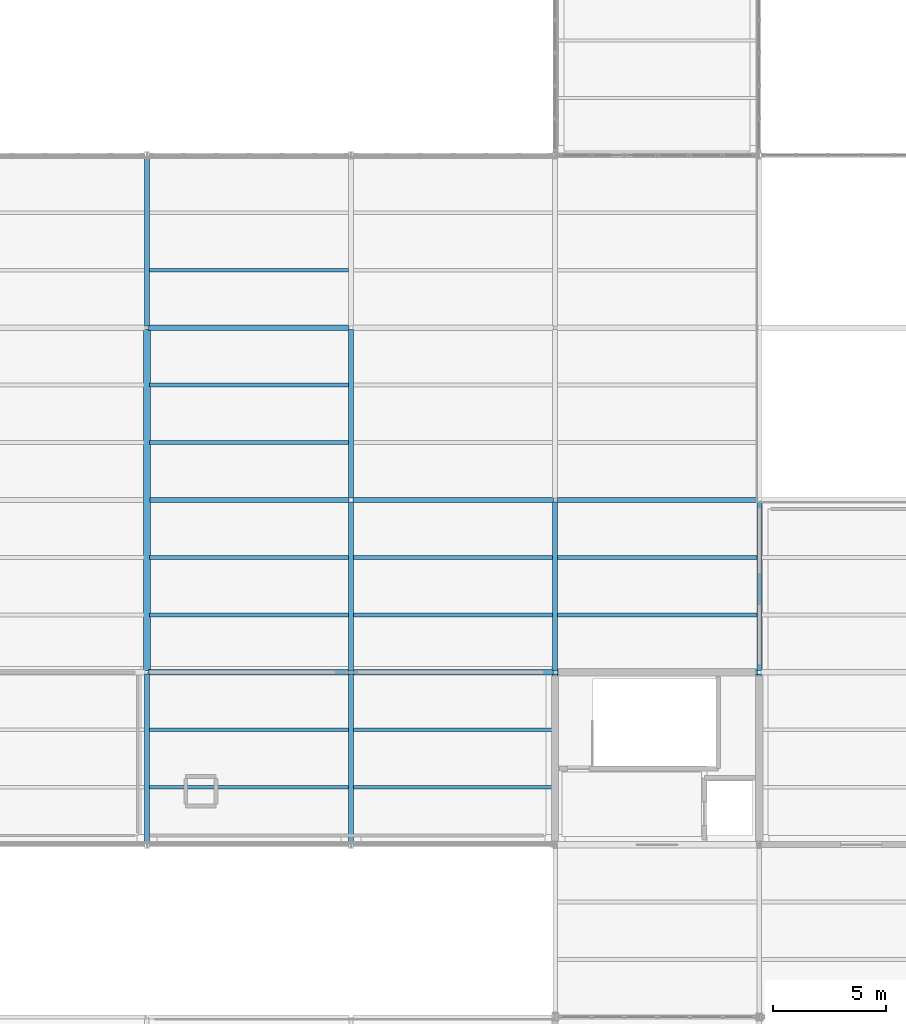
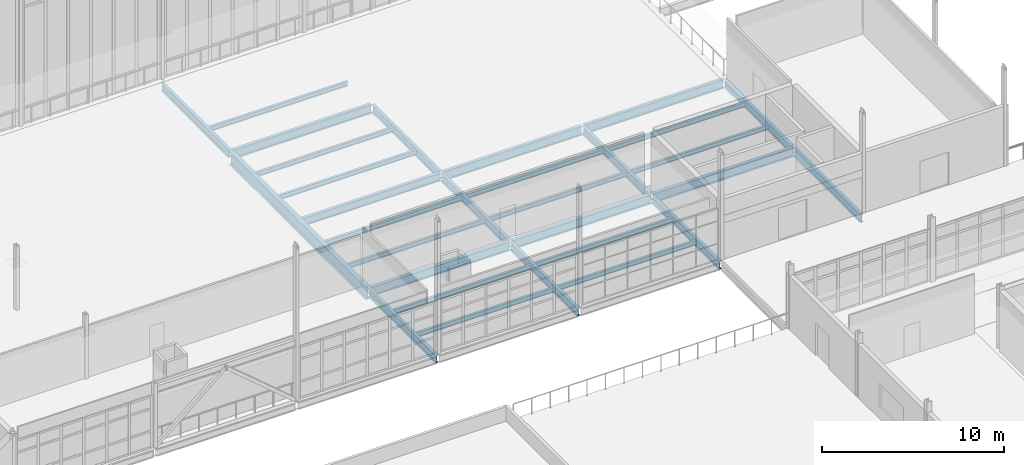
# One storey, part 50 of 166: 30 beams.
"""IFC4 building model written with IfcOpenShell, lengths in metres."""

from ifc_helpers import new_model, si_unit, direction, frame, origin, origin_2d, place, context, subcontext, project, spatial, i_section, extrude, material, material_profile, profile_set, type_object, element, save


model = new_model("IFC4")

# Units and contexts
model_context = context("Model", 3, precision=1e-05, world=origin(), true_north=direction((0.0, 1.0)))
body_context = subcontext(model_context, "Body", "Model", "MODEL_VIEW")
ifc_project = project(units=[si_unit("LENGTHUNIT", "METRE"), si_unit("AREAUNIT", "SQUARE_METRE"), si_unit("VOLUMEUNIT", "CUBIC_METRE"), si_unit("PLANEANGLEUNIT", "RADIAN"), si_unit("MASSUNIT", "GRAM", prefix="KILO")], contexts=[model_context])

# Site, building, storey
site_placement = place(None, origin())
site = spatial("IfcSite", under=ifc_project, at=site_placement, CompositionType="ELEMENT")
building_placement = place(site_placement, origin())
building = spatial("IfcBuilding", under=site, at=building_placement, Name="Caisbarro Railhouse Central Library", CompositionType="ELEMENT")
storey_placement = place(building_placement, frame((0.0, 0.0, 9.360107421875)))
storey = spatial("IfcBuildingStorey", under=building, at=storey_placement, Name="L02", CompositionType="ELEMENT", Elevation=9.360107421875)

# Beams
ifc_material = material(Name="Steel ASTM A572 Grade 50", Category="steel")
ifc_material_profile_1 = material_profile(ifc_material, i_section(OverallWidth=0.2939453125, OverallDepth=0.85107421875, WebThickness=0.01611328125, FlangeThickness=0.02685546875, FilletRadius=0.02392578125, at=origin_2d()), Name="W840X226.0")
ifc_profile_set_1 = profile_set([ifc_material_profile_1], Name="Steel ASTM A572 Grade 50")
beam_type_1 = type_object("IfcBeamType", Name="BM-G01", PredefinedType="BEAM", material=ifc_profile_set_1)
beam_1_placement = place(storey_placement, frame((36.0, 38.080078125, -0.6455078125), z_axis=(0.0, 1.0, 0.0), x_axis=(-1.0, 0.0, 0.0)))
element("IfcBeam", 1, at=beam_1_placement, inside=storey, type_object=beam_type_1, Name="G01 beam L02 #1738", PredefinedType="BEAM", context=body_context, shape_type="SweptSolid", body=[
    extrude(i_section(OverallWidth=0.2939453125, OverallDepth=0.85107421875, WebThickness=0.01611328125, FlangeThickness=0.02685546875, FilletRadius=0.02392578125, at=origin_2d()), origin(), (0.0, 0.0, 1.0), 15.0400390625),
])
ifc_material_profile_2 = material_profile(ifc_material, i_section(OverallWidth=0.22802734375, OverallDepth=0.60791015625, WebThickness=0.01123046875, FlangeThickness=0.017333984375, FilletRadius=0.02197265625, at=origin_2d()), Name="W610X113.0")
ifc_profile_set_2 = profile_set([ifc_material_profile_2], Name="Steel ASTM A572 Grade 50")
beam_type_2 = type_object("IfcBeamType", Name="BM-G04", PredefinedType="BEAM", material=ifc_profile_set_2)
for number, where, z_axis, x_axis, name in (
    (2, (36.080078125, 38.0, -0.524169921875), (1.0, 0.0, 0.0), (0.0, 1.0, 0.0), "G04 beam L02 #1363"),
    (3, (45.080078125, 38.0, -0.524169921875), (1.0, 0.0, 0.0), (0.0, 1.0, 0.0), "G04 beam L02 #1364"),
    (4, (54.080078125, 38.0, -0.524169921875), (1.0, 0.0, 0.0), (0.0, 1.0, 0.0), "G04 beam L02 #1365"),
    (5, (45.080078125, 45.60009765625, -0.524169921875), (1.0, 0.0, 0.0), (0.0, 1.0, 0.0), "G04 beam L02 #1369"),
    (6, (54.080078125, 45.60009765625, -0.524169921875), (1.0, 0.0, 0.0), (0.0, 1.0, 0.0), "G04 beam L02 #1370"),
    (7, (36.080078125, 53.199951171875, -0.524169921875), (1.0, 0.0, 0.0), (0.0, 1.0, 0.0), "G04 beam L02 #1376"),
):
    element("IfcBeam", number, at=place(storey_placement, frame(where, z_axis=z_axis, x_axis=x_axis)), inside=storey, type_object=beam_type_2, Name=name, PredefinedType="BEAM", context=body_context, shape_type="SweptSolid", body=[
        extrude(i_section(OverallWidth=0.22802734375, OverallDepth=0.60791015625, WebThickness=0.01123046875, FlangeThickness=0.017333984375, FilletRadius=0.02197265625, at=origin_2d()), origin(), (0.0, 0.0, 1.0), 8.83984375),
    ])
ifc_material_profile_3 = material_profile(ifc_material, i_section(OverallWidth=0.208984375, OverallDepth=0.532958984375, WebThickness=0.01025390625, FlangeThickness=0.015625, FilletRadius=0.02001953125, at=origin_2d()), Name="W530X92.0")
ifc_profile_set_3 = profile_set([ifc_material_profile_3], Name="Steel ASTM A572 Grade 50")
beam_type_3 = type_object("IfcBeamType", Name="BM-G06", PredefinedType="BEAM", material=ifc_profile_set_3)
for number, where, z_axis, x_axis, name in (
    (8, (36.0, 30.47998046875, -0.486572265625), (0.0, 1.0, 0.0), (-1.0, 0.0, 0.0), "G06 beam L02 #1402"),
    (9, (36.0, 53.280029296875, -0.486572265625), (0.0, 1.0, 0.0), (-1.0, 0.0, 0.0), "G06 beam L02 #1403"),
    (10, (45.0, 30.47998046875, -0.486572265625), (0.0, 1.0, 0.0), (-1.0, 0.0, 0.0), "G06 beam L02 #1404"),
    (11, (45.0, 38.080078125, -0.486572265625), (0.0, 1.0, 0.0), (-1.0, 0.0, 0.0), "G06 beam L02 #1405"),
):
    element("IfcBeam", number, at=place(storey_placement, frame(where, z_axis=z_axis, x_axis=x_axis)), inside=storey, type_object=beam_type_3, Name=name, PredefinedType="BEAM", context=body_context, shape_type="SweptSolid", body=[
        extrude(i_section(OverallWidth=0.208984375, OverallDepth=0.532958984375, WebThickness=0.01025390625, FlangeThickness=0.015625, FilletRadius=0.02001953125, at=origin_2d()), origin(), (0.0, 0.0, 1.0), 7.43994140625),
    ])
beam_2_placement = place(storey_placement, frame((45.0, 45.679931640625, -0.486572265625), z_axis=(0.0, 1.0, 0.0), x_axis=(-1.0, 0.0, 0.0)))
element("IfcBeam", 12, at=beam_2_placement, inside=storey, type_object=beam_type_3, Name="G06 beam L02 #1406", PredefinedType="BEAM", context=body_context, shape_type="SweptSolid", body=[
    extrude(i_section(OverallWidth=0.208984375, OverallDepth=0.532958984375, WebThickness=0.01025390625, FlangeThickness=0.015625, FilletRadius=0.02001953125, at=origin_2d()), origin(), (0.0, 0.0, 1.0), 7.440185546875),
])
for number, where, z_axis, x_axis, name in (
    (13, (54.0, 30.47998046875, -0.486572265625), (0.0, 1.0, 0.0), (-1.0, 0.0, 0.0), "G06 beam L02 #1408"),
    (14, (54.0, 38.080078125, -0.486572265625), (0.0, 1.0, 0.0), (-1.0, 0.0, 0.0), "G06 beam L02 #1409"),
    (15, (63.0, 30.47998046875, -0.486572265625), (0.0, 1.0, 0.0), (-1.0, 0.0, 0.0), "G06 beam L02 #1412"),
    (16, (63.0, 38.080078125, -0.486572265625), (0.0, 1.0, 0.0), (-1.0, 0.0, 0.0), "G06 beam L02 #1413"),
):
    element("IfcBeam", number, at=place(storey_placement, frame(where, z_axis=z_axis, x_axis=x_axis)), inside=storey, type_object=beam_type_3, Name=name, PredefinedType="BEAM", context=body_context, shape_type="SweptSolid", body=[
        extrude(i_section(OverallWidth=0.208984375, OverallDepth=0.532958984375, WebThickness=0.01025390625, FlangeThickness=0.015625, FilletRadius=0.02001953125, at=origin_2d()), origin(), (0.0, 0.0, 1.0), 7.43994140625),
    ])
beam_3_placement = place(storey_placement, frame((36.139892578125, 45.60009765625, -0.486572265625), z_axis=(1.0, 0.0, 0.0), x_axis=(0.0, 1.0, 0.0)))
element("IfcBeam", 17, at=beam_3_placement, inside=storey, type_object=beam_type_3, Name="G06 beam L02 #1741", PredefinedType="BEAM", context=body_context, shape_type="SweptSolid", body=[
    extrude(i_section(OverallWidth=0.208984375, OverallDepth=0.532958984375, WebThickness=0.01025390625, FlangeThickness=0.015625, FilletRadius=0.02001953125, at=origin_2d()), origin(), (0.0, 0.0, 1.0), 8.780029296875),
])
ifc_material_profile_4 = material_profile(ifc_material, i_section(OverallWidth=0.1650390625, OverallDepth=0.31005859375, WebThickness=0.005859375, FlangeThickness=0.009765625, FilletRadius=0.011962890625, at=origin_2d()), Name="W310X38.7")
ifc_profile_set_4 = profile_set([ifc_material_profile_4], Name="Steel ASTM A572 Grade 50")
beam_type_4 = type_object("IfcBeamType", Name="BM-J03", PredefinedType="JOIST", material=ifc_profile_set_4)
for number, where, z_axis, x_axis, name in (
    (18, (36.1044921875, 32.933349609375, -0.375), (1.0, 0.0, 0.0), (0.0, 1.0, 0.0), "J03 beam L02 #1450"),
    (19, (36.1044921875, 35.466796875, -0.375), (1.0, 0.0, 0.0), (0.0, 1.0, 0.0), "J03 beam L02 #1451"),
):
    element("IfcBeam", number, at=place(storey_placement, frame(where, z_axis=z_axis, x_axis=x_axis)), inside=storey, type_object=beam_type_4, Name=name, PredefinedType="JOIST", context=body_context, shape_type="SweptSolid", body=[
        extrude(i_section(OverallWidth=0.1650390625, OverallDepth=0.31005859375, WebThickness=0.005859375, FlangeThickness=0.009765625, FilletRadius=0.011962890625, at=origin_2d()), origin(), (0.0, 0.0, 1.0), 8.791015625),
    ])
for number, where, z_axis, x_axis, name in (
    (20, (36.1201171875, 40.533203125, -0.375), (1.0, 0.0, 0.0), (0.0, 1.0, 0.0), "J03 beam L02 #1452"),
    (21, (36.1201171875, 43.066650390625, -0.375), (1.0, 0.0, 0.0), (0.0, 1.0, 0.0), "J03 beam L02 #1453"),
    (22, (36.1201171875, 48.13330078125, -0.375), (1.0, 0.0, 0.0), (0.0, 1.0, 0.0), "J03 beam L02 #1454"),
    (23, (36.1201171875, 50.666748046875, -0.375), (1.0, 0.0, 0.0), (0.0, 1.0, 0.0), "J03 beam L02 #1455"),
):
    element("IfcBeam", number, at=place(storey_placement, frame(where, z_axis=z_axis, x_axis=x_axis)), inside=storey, type_object=beam_type_4, Name=name, PredefinedType="JOIST", context=body_context, shape_type="SweptSolid", body=[
        extrude(i_section(OverallWidth=0.1650390625, OverallDepth=0.31005859375, WebThickness=0.005859375, FlangeThickness=0.009765625, FilletRadius=0.011962890625, at=origin_2d()), origin(), (0.0, 0.0, 1.0), 8.775390625),
    ])
for number, where, z_axis, x_axis, name in (
    (24, (36.1044921875, 55.7333984375, -0.375), (1.0, 0.0, 0.0), (0.0, 1.0, 0.0), "J03 beam L02 #1456"),
    (25, (45.1044921875, 32.933349609375, -0.375), (1.0, 0.0, 0.0), (0.0, 1.0, 0.0), "J03 beam L02 #1458"),
    (26, (45.1044921875, 35.466796875, -0.375), (1.0, 0.0, 0.0), (0.0, 1.0, 0.0), "J03 beam L02 #1459"),
    (27, (45.1044921875, 40.533203125, -0.375), (1.0, 0.0, 0.0), (0.0, 1.0, 0.0), "J03 beam L02 #1460"),
    (28, (45.1044921875, 43.066650390625, -0.375), (1.0, 0.0, 0.0), (0.0, 1.0, 0.0), "J03 beam L02 #1461"),
    (29, (54.1044921875, 40.533203125, -0.375), (1.0, 0.0, 0.0), (0.0, 1.0, 0.0), "J03 beam L02 #1466"),
    (30, (54.1044921875, 43.066650390625, -0.375), (1.0, 0.0, 0.0), (0.0, 1.0, 0.0), "J03 beam L02 #1467"),
):
    element("IfcBeam", number, at=place(storey_placement, frame(where, z_axis=z_axis, x_axis=x_axis)), inside=storey, type_object=beam_type_4, Name=name, PredefinedType="JOIST", context=body_context, shape_type="SweptSolid", body=[
        extrude(i_section(OverallWidth=0.1650390625, OverallDepth=0.31005859375, WebThickness=0.005859375, FlangeThickness=0.009765625, FilletRadius=0.011962890625, at=origin_2d()), origin(), (0.0, 0.0, 1.0), 8.791015625),
    ])

save(model, "model.ifc")
